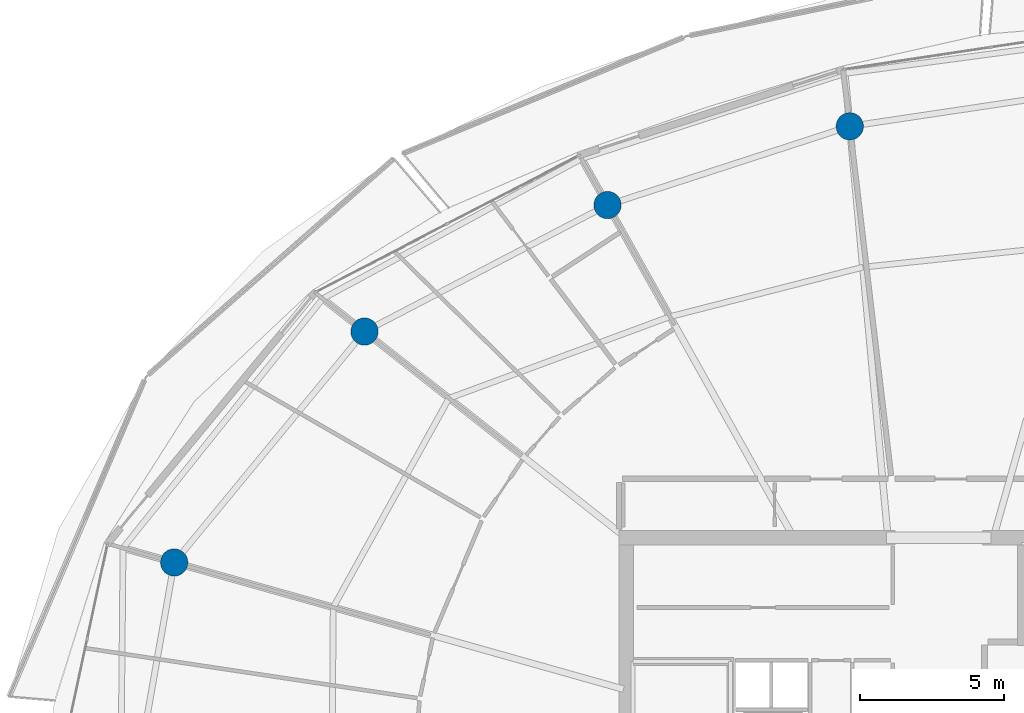
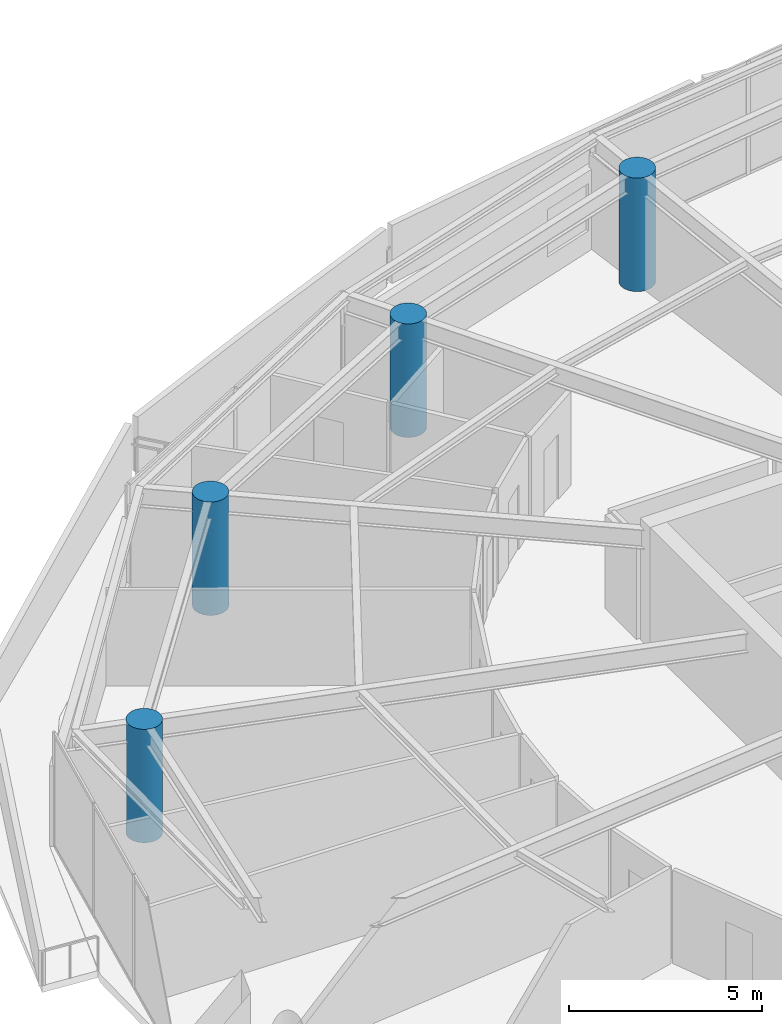
# One storey, part 4 of 31: 4 columns.
"""IFC4 building model written with IfcOpenShell, lengths in metres."""

from ifc_helpers import new_model, si_unit, direction, frame, origin, origin_2d, place, context, subcontext, project, spatial, circle, extrude, material, material_profile, profile_set, type_object, element, save


model = new_model("IFC4")

# Units and contexts
model_context = context("Model", 3, precision=1e-05, world=origin(), true_north=direction((0.0, 1.0)))
body_context = subcontext(model_context, "Body", "Model", "MODEL_VIEW")
ifc_project = project(units=[si_unit("LENGTHUNIT", "METRE"), si_unit("AREAUNIT", "SQUARE_METRE"), si_unit("VOLUMEUNIT", "CUBIC_METRE"), si_unit("PLANEANGLEUNIT", "RADIAN"), si_unit("MASSUNIT", "GRAM", prefix="KILO")], contexts=[model_context])

# Site, building, storey
site_placement = place(None, origin())
site = spatial("IfcSite", under=ifc_project, at=site_placement, CompositionType="ELEMENT")
building_placement = place(site_placement, origin())
building = spatial("IfcBuilding", under=site, at=building_placement, Name="Kazma Halo Residences", CompositionType="ELEMENT")
storey_placement = place(building_placement, frame((0.0, 0.0, 275.199951171875)))
storey = spatial("IfcBuildingStorey", under=building, at=storey_placement, Name="L69", CompositionType="ELEMENT", Elevation=275.199951171875)

# Columns
ifc_material = material(Name="Concrete C60/75", Category="concrete")
ifc_material_profile = material_profile(ifc_material, circle(Radius=0.47509765625, at=origin_2d()), Name="CIRC950")
ifc_profile_set = profile_set([ifc_material_profile], Name="Concrete C60/75")
column_type = type_object("IfcColumnType", Name="COL-PERIM-950", PredefinedType="COLUMN", material=ifc_profile_set)
for number, where, z_axis, x_axis, name in (
    (1, (45.32861328125, 64.57080078125, 0.0), (0.0, 0.0, 1.0), (1.0, 0.0, 0.0), "L69 perimeter ring column P04"),
    (2, (36.89453125, 61.830322265625, 0.0), (0.0, 0.0, 1.0), (1.0, 0.0, 0.0), "L69 perimeter ring column P05"),
    (3, (28.433837890625, 57.4248046875, 0.0), (0.0, 0.0, 1.0), (1.0, 0.0, 0.0), "L69 perimeter ring column P06"),
    (4, (21.80908203125, 49.38671875, 0.0), (0.0, 0.0, 1.0), (1.0, 0.0, 0.0), "L69 perimeter ring column P07"),
):
    element("IfcColumn", number, at=place(storey_placement, frame(where, z_axis=z_axis, x_axis=x_axis)), inside=storey, type_object=column_type, Name=name, PredefinedType="COLUMN", context=body_context, shape_type="SweptSolid", body=[
        extrude(circle(Radius=0.47509765625, at=origin_2d()), origin(), (0.0, 0.0, 1.0), 3.590087890625),
    ])

save(model, "model.ifc")
